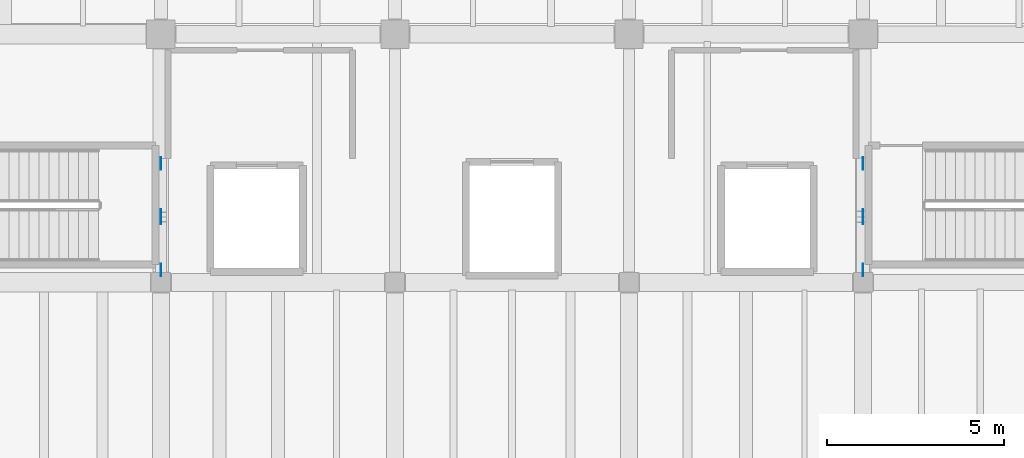
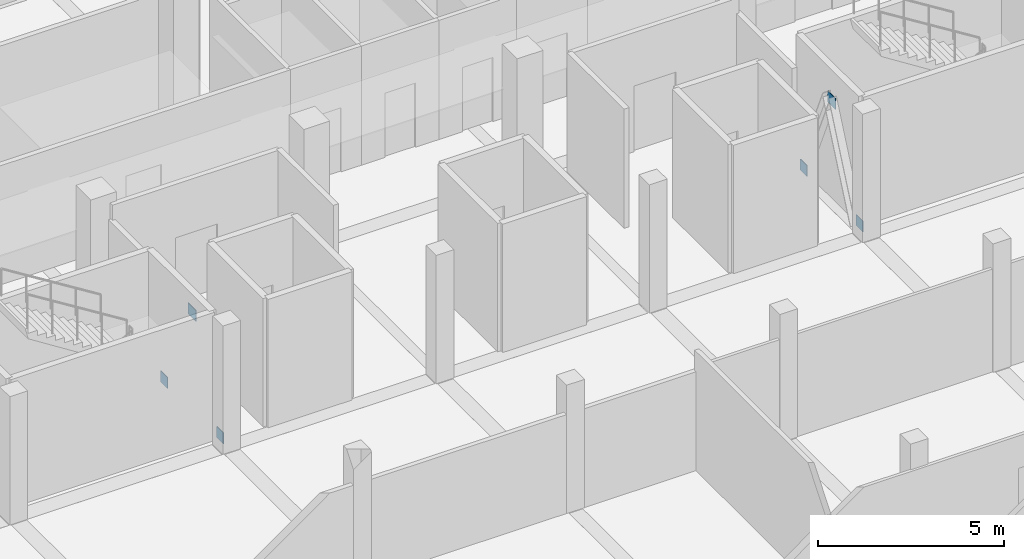
# One storey, part 48 of 67: 6 plates.
"""IFC4 building model written with IfcOpenShell, lengths in metres."""

from ifc_helpers import new_model, si_unit, direction, frame, origin, origin_2d, place, context, subcontext, project, spatial, rectangle, extrude, material, layer, layer_set, type_object, element, save


model = new_model("IFC4")

# Units and contexts
model_context = context("Model", 3, precision=1e-05, world=origin(), true_north=direction((0.0, 1.0)))
body_context = subcontext(model_context, "Body", "Model", "MODEL_VIEW")
ifc_project = project(units=[si_unit("LENGTHUNIT", "METRE"), si_unit("AREAUNIT", "SQUARE_METRE"), si_unit("VOLUMEUNIT", "CUBIC_METRE"), si_unit("PLANEANGLEUNIT", "RADIAN"), si_unit("MASSUNIT", "GRAM", prefix="KILO")], contexts=[model_context])

# Site, building, storey
site_placement = place(None, origin())
site = spatial("IfcSite", under=ifc_project, at=site_placement, CompositionType="ELEMENT")
building_placement = place(site_placement, origin())
building = spatial("IfcBuilding", under=site, at=building_placement, Name="Ciguamira Faculty of Natural Sciences", CompositionType="ELEMENT")
storey_placement = place(building_placement, frame((0.0, 0.0, 8.39990234375)))
storey = spatial("IfcBuildingStorey", under=building, at=storey_placement, Name="L02", CompositionType="ELEMENT", Elevation=8.39990234375)

# Plates
ifc_material = material(Name="Steel ASTM A572 Grade 50", Category="steel")
ifc_layer = layer(ifc_material, 0.02001953125, Name="Steel ASTM A572 Grade 50")
ifc_layer_set = layer_set([ifc_layer], Name="Steel ASTM A572 Grade 50")
plate_type = type_object("IfcPlateType", Name="GussetPlate_EP-02", PredefinedType="SHEET", material=ifc_layer_set)
plate_1_placement = place(storey_placement, frame((77.10009765625, 95.85009765625, 3.10009765625), z_axis=(0.0, 0.0, 1.0), x_axis=(1.0, 0.0, 0.0)))
element("IfcPlate", 1, at=plate_1_placement, inside=storey, type_object=plate_type, Name="L02 chevron brace apex gusset plate 007", PredefinedType="SHEET", context=body_context, shape_type="SweptSolid", body=[
    extrude(rectangle(XDim=0.02001953125, YDim=0.419921875, at=origin_2d()), origin(), (0.0, 0.0, 1.0), 0.360107421875),
])
for number, where, z_axis, x_axis, name in (
    (2, (77.10009765625, 94.35009765625, -0.02001953125), (0.0, 0.0, 1.0), (1.0, 0.0, 0.0), "L02 chevron brace base gusset plate 013"),
    (3, (77.10009765625, 97.35009765625, -0.02001953125), (0.0, 0.0, 1.0), (1.0, 0.0, 0.0), "L02 chevron brace base gusset plate 014"),
):
    element("IfcPlate", number, at=place(storey_placement, frame(where, z_axis=z_axis, x_axis=x_axis)), inside=storey, type_object=plate_type, Name=name, PredefinedType="SHEET", context=body_context, shape_type="SweptSolid", body=[
        extrude(rectangle(XDim=0.02001953125, YDim=0.360107421875, at=origin_2d()), origin(), (0.0, 0.0, 1.0), 0.360107421875),
    ])
plate_2_placement = place(storey_placement, frame((96.89990234375, 95.85009765625, 3.10009765625), z_axis=(0.0, 0.0, 1.0), x_axis=(1.0, 0.0, 0.0)))
element("IfcPlate", 4, at=plate_2_placement, inside=storey, type_object=plate_type, Name="L02 chevron brace apex gusset plate 008", PredefinedType="SHEET", context=body_context, shape_type="SweptSolid", body=[
    extrude(rectangle(XDim=0.02001953125, YDim=0.419921875, at=origin_2d()), origin(), (0.0, 0.0, 1.0), 0.360107421875),
])
for number, where, z_axis, x_axis, name in (
    (5, (96.89990234375, 94.35009765625, -0.02001953125), (0.0, 0.0, 1.0), (1.0, 0.0, 0.0), "L02 chevron brace base gusset plate 015"),
    (6, (96.89990234375, 97.35009765625, -0.02001953125), (0.0, 0.0, 1.0), (1.0, 0.0, 0.0), "L02 chevron brace base gusset plate 016"),
):
    element("IfcPlate", number, at=place(storey_placement, frame(where, z_axis=z_axis, x_axis=x_axis)), inside=storey, type_object=plate_type, Name=name, PredefinedType="SHEET", context=body_context, shape_type="SweptSolid", body=[
        extrude(rectangle(XDim=0.02001953125, YDim=0.360107421875, at=origin_2d()), origin(), (0.0, 0.0, 1.0), 0.360107421875),
    ])

save(model, "model.ifc")
